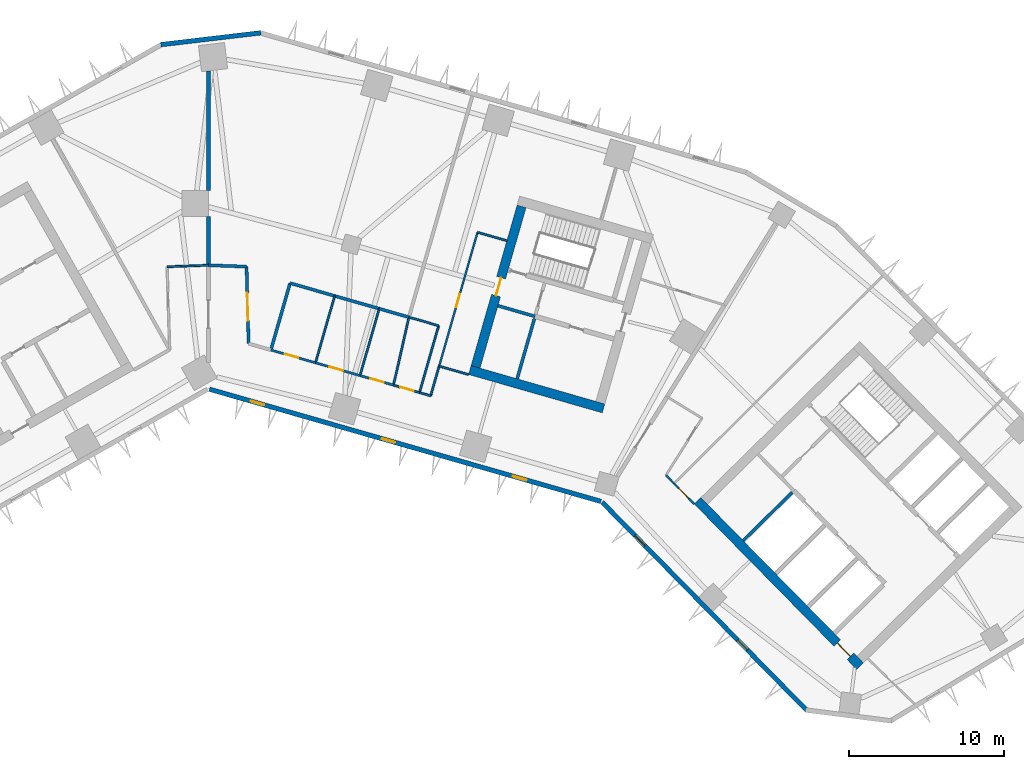
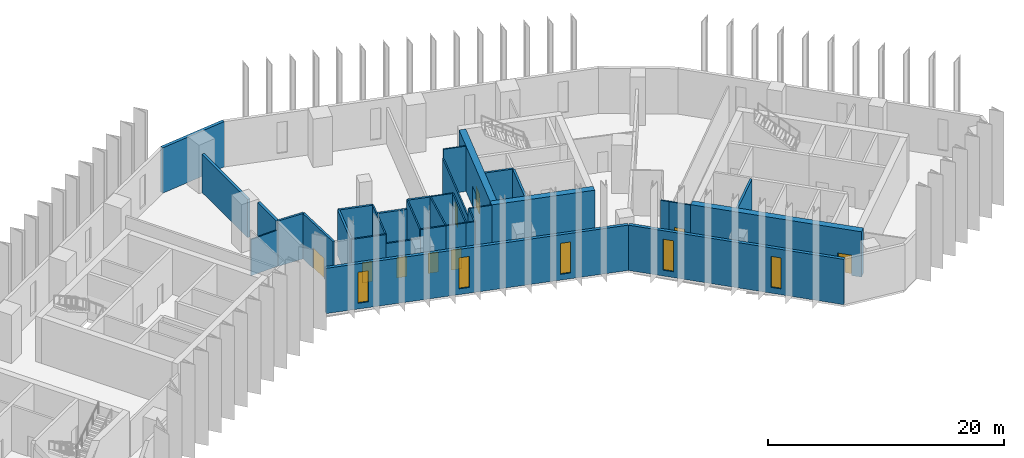
# One storey, part 5 of 11: 34 walls, 9 doors, 5 windows, 14 openings.
"""IFC4 building model written with IfcOpenShell, lengths in metres."""

from ifc_helpers import new_model, si_unit, direction, frame, frame_2d, origin, place, context, subcontext, project, spatial, rectangle, extrude, material, layer, layer_set, type_object, element, fill, save


model = new_model("IFC4")

# Units and contexts
model_context = context("Model", 3, precision=1e-05, world=origin(), true_north=direction((0.0, 1.0)))
body_context = subcontext(model_context, "Body", "Model", "MODEL_VIEW")
ifc_project = project(units=[si_unit("LENGTHUNIT", "METRE"), si_unit("AREAUNIT", "SQUARE_METRE"), si_unit("VOLUMEUNIT", "CUBIC_METRE"), si_unit("PLANEANGLEUNIT", "RADIAN"), si_unit("MASSUNIT", "GRAM", prefix="KILO")], contexts=[model_context])

# Site, building, storey
site_placement = place(None, origin())
site = spatial("IfcSite", under=ifc_project, at=site_placement, CompositionType="ELEMENT")
building_placement = place(site_placement, origin())
building = spatial("IfcBuilding", under=site, at=building_placement, Name="Binnacle Exchange Tower", CompositionType="ELEMENT")
storey_placement = place(building_placement, frame((0.0, 0.0, 56.5)))
storey = spatial("IfcBuildingStorey", under=building, at=storey_placement, Name="L11", CompositionType="ELEMENT", Elevation=56.5)

# Wall, opening, door
ifc_material_1 = material(Name="Concrete C70/85", Category="concrete")
ifc_layer_1 = layer(ifc_material_1, 0.60009765625)
ifc_layer_set_1 = layer_set([ifc_layer_1], Name="Core wall - outer 600")
wall_type_1 = type_object("IfcWallType", Name="Core wall - outer 600", PredefinedType="SOLIDWALL", material=ifc_layer_set_1)
wall_1_placement = place(storey_placement, frame((31.6455078125, 40.7626953125, 0.0), z_axis=(0.0, 0.0, 1.0), x_axis=(0.700911255944, -0.713248491965, 0.0)))
wall_1 = element("IfcWall", 1, at=wall_1_placement, inside=storey, type_object=wall_type_1, Name="Core wall CRWB1", PredefinedType="SOLIDWALL", context=body_context, shape_type="SweptSolid", body=[
    extrude(rectangle(XDim=15.0, YDim=0.60009765625, at=frame_2d((7.5, 0.0))), origin(), (0.0, 0.0, 1.0), 4.679931640625),
])
opening_1_placement = place(wall_1_placement, frame((12.89990234375, 0.0, 0.0)))
opening_1 = element("IfcOpeningElement", 2, at=opening_1_placement, cuts=wall_1, Name="Opening DB7", PredefinedType="OPENING", context=body_context, shape_type="SweptSolid", body=[
    extrude(rectangle(XDim=1.199951171875, YDim=2.10009765625, at=frame_2d((0.60009765625, 1.050048828125))), frame((0.0, 0.31005859375, 0.0), z_axis=(0.0, -1.0, 0.0), x_axis=(1.0, 0.0, 0.0)), (0.0, 0.0, 1.0), 0.6201171875),
])
ifc_material_2 = material(Name="Steel door leaf", Category="steel")
door_type_1 = type_object("IfcDoorType", Name="Fire door 1200", OperationType="NOTDEFINED", PredefinedType="DOOR", material=ifc_material_2)
door_1_placement = place(opening_1_placement, frame((1.199951171875, 0.0, 0.0), z_axis=(0.0, 0.0, 1.0), x_axis=(-1.0, 0.0, 0.0)))
door_1 = element("IfcDoor", 3, at=door_1_placement, inside=storey, type_object=door_type_1, Name="Lift lobby entrance door core B", OperationType="SINGLE_SWING_LEFT", OverallHeight=2.10009765625, OverallWidth=1.199951171875, PredefinedType="DOOR", context=body_context, shape_type="SweptSolid", body=[
    extrude(rectangle(XDim=1.199951171875, YDim=2.10009765625, at=frame_2d((0.60009765625, 1.050048828125))), frame((0.0, 0.02490234375, 0.0), z_axis=(0.0, -1.0, 0.0), x_axis=(1.0, 0.0, 0.0)), (0.0, 0.0, 1.0), 0.050048828125),
])
fill(opening_1, door_1)

# Wall
wall_2_placement = place(storey_placement, frame((16.91064453125, 49.22119140625, 0.0), z_axis=(0.0, 0.0, 1.0), x_axis=(0.96126248289, -0.275634611374, 0.0)))
element("IfcWall", 4, at=wall_2_placement, inside=storey, type_object=wall_type_1, Name="Core wall CRWD1", PredefinedType="SOLIDWALL", context=body_context, shape_type="SweptSolid", body=[
    extrude(rectangle(XDim=9.0, YDim=0.60009765625, at=frame_2d((4.5, 0.0))), origin(), (0.0, 0.0, 1.0), 4.679931640625),
])

# Wall, opening, door
wall_3_placement = place(storey_placement, frame((17.28173828125, 49.427001953125, 0.0), z_axis=(0.0, 0.0, 1.0), x_axis=(0.275631631629, 0.961263337304, 0.0)))
wall_3 = element("IfcWall", 5, at=wall_3_placement, inside=storey, type_object=wall_type_1, Name="Core wall CRWD7", PredefinedType="SOLIDWALL", context=body_context, shape_type="SweptSolid", body=[
    extrude(rectangle(XDim=10.800048828125, YDim=0.60009765625, at=frame_2d((5.39990234375, 0.0))), origin(), (0.0, 0.0, 1.0), 4.679931640625),
])
opening_2_placement = place(wall_3_placement, frame((4.800048828125, 0.0, 0.0)))
opening_2 = element("IfcOpeningElement", 6, at=opening_2_placement, cuts=wall_3, Name="Opening DD5", PredefinedType="OPENING", context=body_context, shape_type="SweptSolid", body=[
    extrude(rectangle(XDim=1.199951171875, YDim=2.10009765625, at=frame_2d((0.60009765625, 1.050048828125))), frame((0.0, 0.31005859375, 0.0), z_axis=(0.0, -1.0, 0.0), x_axis=(1.0, 0.0, 0.0)), (0.0, 0.0, 1.0), 0.6201171875),
])
door_2_placement = place(opening_2_placement, origin())
door_2 = element("IfcDoor", 7, at=door_2_placement, inside=storey, type_object=door_type_1, Name="Vestibule exit door VEST-W", OperationType="SINGLE_SWING_RIGHT", OverallHeight=2.10009765625, OverallWidth=1.199951171875, PredefinedType="DOOR", context=body_context, shape_type="SweptSolid", body=[
    extrude(rectangle(XDim=1.199951171875, YDim=2.10009765625, at=frame_2d((0.60009765625, 1.050048828125))), frame((0.0, 0.02490234375, 0.0), z_axis=(0.0, -1.0, 0.0), x_axis=(1.0, 0.0, 0.0)), (0.0, 0.0, 1.0), 0.050048828125),
])
fill(opening_2, door_2)

# Wall
ifc_material_3 = material(Name="Bronze aluminium cladding", Category="aluminium")
ifc_layer_2 = layer(ifc_material_3, 0.300048828125)
ifc_layer_set_2 = layer_set([ifc_layer_2], Name="External wall - spandrel 300")
wall_type_2 = type_object("IfcWallType", Name="External wall - spandrel 300", PredefinedType="STANDARD", material=ifc_layer_set_2)
wall_4_placement = place(storey_placement, frame((-3.076171875, 70.27294921875, 0.0), z_axis=(0.0, 0.0, 1.0), x_axis=(0.993067743007, 0.117543429416, 0.0)))
element("IfcWall", 8, at=wall_4_placement, inside=storey, type_object=wall_type_2, Name="External wall EW-F02 L11", PredefinedType="STANDARD", context=body_context, shape_type="SweptSolid", body=[
    extrude(rectangle(XDim=6.515625, YDim=0.300048828125, at=frame_2d((3.2578125, 0.0))), origin(), (0.0, 0.0, 1.0), 4.679931640625),
])

# Wall, openings, windows
wall_5_placement = place(storey_placement, frame((25.398193359375, 40.71728515625, 0.0), z_axis=(0.0, 0.0, 1.0), x_axis=(-0.961262423262, 0.275634819324, 0.0)))
wall_5 = element("IfcWall", 9, at=wall_5_placement, inside=storey, type_object=wall_type_2, Name="External wall EW-F08 L11", PredefinedType="STANDARD", context=body_context, shape_type="SweptSolid", body=[
    extrude(rectangle(XDim=26.358642578125, YDim=0.300048828125, at=frame_2d((13.17919921875, 0.0))), origin(), (0.0, 0.0, 1.0), 4.679931640625),
])
opening_3_placement = place(wall_5_placement, frame((22.6640625, 0.0, 0.60009765625)))
opening_3 = element("IfcOpeningElement", 10, at=opening_3_placement, cuts=wall_5, Name="Opening WS1", PredefinedType="OPENING", context=body_context, shape_type="SweptSolid", body=[
    extrude(rectangle(XDim=0.89990234375, YDim=3.199951171875, at=frame_2d((0.449951171875, 1.60009765625))), frame((0.0, 0.159912109375, 0.0), z_axis=(0.0, -1.0, 0.0), x_axis=(1.0, 0.0, 0.0)), (0.0, 0.0, 1.0), 0.320068359375),
])
opening_4_placement = place(wall_5_placement, frame((13.843505859375, 0.0, 0.60009765625)))
opening_4 = element("IfcOpeningElement", 11, at=opening_4_placement, cuts=wall_5, Name="Opening WS1", PredefinedType="OPENING", context=body_context, shape_type="SweptSolid", body=[
    extrude(rectangle(XDim=0.89990234375, YDim=3.199951171875, at=frame_2d((0.449951171875, 1.60009765625))), frame((0.0, 0.159912109375, 0.0), z_axis=(0.0, -1.0, 0.0), x_axis=(1.0, 0.0, 0.0)), (0.0, 0.0, 1.0), 0.320068359375),
])
opening_5_placement = place(wall_5_placement, frame((5.023193359375, 0.0, 0.60009765625)))
opening_5 = element("IfcOpeningElement", 12, at=opening_5_placement, cuts=wall_5, Name="Opening WS1", PredefinedType="OPENING", context=body_context, shape_type="SweptSolid", body=[
    extrude(rectangle(XDim=0.89990234375, YDim=3.199951171875, at=frame_2d((0.449951171875, 1.60009765625))), frame((0.0, 0.159912109375, 0.0), z_axis=(0.0, -1.0, 0.0), x_axis=(1.0, 0.0, 0.0)), (0.0, 0.0, 1.0), 0.320068359375),
])
ifc_material_4 = material(Name="Bronze anodised aluminium frame", Category="aluminium")
window_type = type_object("IfcWindowType", Name="WS1 WINDOW 900x3200", PartitioningType="SINGLE_PANEL", PredefinedType="WINDOW", material=ifc_material_4)
window_1_placement = place(opening_3_placement, origin())
window_1 = element("IfcWindow", 13, at=window_1_placement, inside=storey, type_object=window_type, Name="Window WS1 L11", OverallHeight=3.199951171875, OverallWidth=0.89990234375, PartitioningType="SINGLE_PANEL", PredefinedType="WINDOW", context=body_context, shape_type="SweptSolid", body=[
    extrude(rectangle(XDim=0.89990234375, YDim=3.199951171875, at=frame_2d((0.449951171875, 1.60009765625))), frame((0.0, 0.030029296875, 0.0), z_axis=(0.0, -1.0, 0.0), x_axis=(1.0, 0.0, 0.0)), (0.0, 0.0, 1.0), 0.06005859375),
])
fill(opening_3, window_1)
window_2_placement = place(opening_4_placement, origin())
window_2 = element("IfcWindow", 14, at=window_2_placement, inside=storey, type_object=window_type, Name="Window WS1 L11", OverallHeight=3.199951171875, OverallWidth=0.89990234375, PartitioningType="SINGLE_PANEL", PredefinedType="WINDOW", context=body_context, shape_type="SweptSolid", body=[
    extrude(rectangle(XDim=0.89990234375, YDim=3.199951171875, at=frame_2d((0.449951171875, 1.60009765625))), frame((0.0, 0.030029296875, 0.0), z_axis=(0.0, -1.0, 0.0), x_axis=(1.0, 0.0, 0.0)), (0.0, 0.0, 1.0), 0.06005859375),
])
fill(opening_4, window_2)
window_3_placement = place(opening_5_placement, origin())
window_3 = element("IfcWindow", 15, at=window_3_placement, inside=storey, type_object=window_type, Name="Window WS1 L11", OverallHeight=3.199951171875, OverallWidth=0.89990234375, PartitioningType="SINGLE_PANEL", PredefinedType="WINDOW", context=body_context, shape_type="SweptSolid", body=[
    extrude(rectangle(XDim=0.89990234375, YDim=3.199951171875, at=frame_2d((0.449951171875, 1.60009765625))), frame((0.0, 0.030029296875, 0.0), z_axis=(0.0, -1.0, 0.0), x_axis=(1.0, 0.0, 0.0)), (0.0, 0.0, 1.0), 0.06005859375),
])
fill(opening_5, window_3)

wall_6_placement = place(storey_placement, frame((38.727294921875, 27.18115234375, 0.0), z_axis=(0.0, 0.0, 1.0), x_axis=(-0.700906405975, 0.713253258011, 0.0)))
wall_6 = element("IfcWall", 16, at=wall_6_placement, inside=storey, type_object=wall_type_2, Name="External wall EW-F09 L11", PredefinedType="STANDARD", context=body_context, shape_type="SweptSolid", body=[
    extrude(rectangle(XDim=18.92333984375, YDim=0.300048828125, at=frame_2d((9.461669921875, 0.0))), origin(), (0.0, 0.0, 1.0), 4.679931640625),
])
opening_6_placement = place(wall_6_placement, frame((14.967041015625, 0.0, 0.60009765625)))
opening_6 = element("IfcOpeningElement", 17, at=opening_6_placement, cuts=wall_6, Name="Opening WS1", PredefinedType="OPENING", context=body_context, shape_type="SweptSolid", body=[
    extrude(rectangle(XDim=0.89990234375, YDim=3.199951171875, at=frame_2d((0.449951171875, 1.60009765625))), frame((0.0, 0.159912109375, 0.0), z_axis=(0.0, -1.0, 0.0), x_axis=(1.0, 0.0, 0.0)), (0.0, 0.0, 1.0), 0.320068359375),
])
opening_7_placement = place(wall_6_placement, frame((5.51171875, 0.0, 0.60009765625)))
opening_7 = element("IfcOpeningElement", 18, at=opening_7_placement, cuts=wall_6, Name="Opening WS1", PredefinedType="OPENING", context=body_context, shape_type="SweptSolid", body=[
    extrude(rectangle(XDim=0.89990234375, YDim=3.199951171875, at=frame_2d((0.449951171875, 1.60009765625))), frame((0.0, 0.159912109375, 0.0), z_axis=(0.0, -1.0, 0.0), x_axis=(1.0, 0.0, 0.0)), (0.0, 0.0, 1.0), 0.320068359375),
])
window_4_placement = place(opening_6_placement, origin())
window_4 = element("IfcWindow", 19, at=window_4_placement, inside=storey, type_object=window_type, Name="Window WS1 L11", OverallHeight=3.199951171875, OverallWidth=0.89990234375, PartitioningType="SINGLE_PANEL", PredefinedType="WINDOW", context=body_context, shape_type="SweptSolid", body=[
    extrude(rectangle(XDim=0.89990234375, YDim=3.199951171875, at=frame_2d((0.449951171875, 1.60009765625))), frame((0.0, 0.030029296875, 0.0), z_axis=(0.0, -1.0, 0.0), x_axis=(1.0, 0.0, 0.0)), (0.0, 0.0, 1.0), 0.06005859375),
])
fill(opening_6, window_4)
window_5_placement = place(opening_7_placement, origin())
window_5 = element("IfcWindow", 20, at=window_5_placement, inside=storey, type_object=window_type, Name="Window WS1 L11", OverallHeight=3.199951171875, OverallWidth=0.89990234375, PartitioningType="SINGLE_PANEL", PredefinedType="WINDOW", context=body_context, shape_type="SweptSolid", body=[
    extrude(rectangle(XDim=0.89990234375, YDim=3.199951171875, at=frame_2d((0.449951171875, 1.60009765625))), frame((0.0, 0.030029296875, 0.0), z_axis=(0.0, -1.0, 0.0), x_axis=(1.0, 0.0, 0.0)), (0.0, 0.0, 1.0), 0.06005859375),
])
fill(opening_7, window_5)

# Wall
ifc_material_5 = material(Name="Masonry block wall", Category="masonry")
ifc_layer_3 = layer(ifc_material_5, 0.199951171875)
ifc_layer_set_3 = layer_set([ifc_layer_3], Name="Fire wall - block 200")
wall_type_3 = type_object("IfcWallType", Name="Fire wall - block 200", PredefinedType="PARTITIONING", material=ifc_layer_set_3)
wall_7_placement = place(storey_placement, frame((0.0, 56.0, 0.0), z_axis=(0.0, 0.0, 1.0), x_axis=(0.999349313684, -0.036068673934, 0.0)))
element("IfcWall", 21, at=wall_7_placement, inside=storey, type_object=wall_type_3, Name="Partition W11", PredefinedType="PARTITIONING", context=body_context, shape_type="SweptSolid", body=[
    extrude(rectangle(XDim=2.470703125, YDim=0.199951171875, at=frame_2d((1.2353515625, 0.0))), origin(), (0.0, 0.0, 1.0), 4.679931640625),
])

# Wall, opening, door
wall_8_placement = place(storey_placement, frame((2.468994140625, 55.910888671875, 0.0), z_axis=(0.0, 0.0, 1.0), x_axis=(0.02651808123, -0.999648333849, 0.0)))
wall_8 = element("IfcWall", 22, at=wall_8_placement, inside=storey, type_object=wall_type_3, Name="Partition W13", PredefinedType="PARTITIONING", context=body_context, shape_type="SweptSolid", body=[
    extrude(rectangle(XDim=4.980712890625, YDim=0.199951171875, at=frame_2d((2.490234375, 0.0))), origin(), (0.0, 0.0, 1.0), 4.679931640625),
])
opening_8_placement = place(wall_8_placement, frame((1.699951171875, 0.0, 0.0)))
opening_8 = element("IfcOpeningElement", 23, at=opening_8_placement, cuts=wall_8, Name="Opening DL11-08", PredefinedType="OPENING", context=body_context, shape_type="SweptSolid", body=[
    extrude(rectangle(XDim=1.800048828125, YDim=2.10009765625, at=frame_2d((0.89990234375, 1.050048828125))), frame((0.0, 0.10986328125, 0.0), z_axis=(0.0, -1.0, 0.0), x_axis=(1.0, 0.0, 0.0)), (0.0, 0.0, 1.0), 0.219970703125),
])
door_type_2 = type_object("IfcDoorType", Name="Fire door 1800", OperationType="NOTDEFINED", PredefinedType="DOOR", material=ifc_material_2)
door_3_placement = place(opening_8_placement, origin())
door_3 = element("IfcDoor", 24, at=door_3_placement, inside=storey, type_object=door_type_2, Name="Door DL11-08", OperationType="DOUBLE_DOOR_SINGLE_SWING", OverallHeight=2.10009765625, OverallWidth=1.800048828125, PredefinedType="DOOR", context=body_context, shape_type="SweptSolid", body=[
    extrude(rectangle(XDim=1.800048828125, YDim=2.10009765625, at=frame_2d((0.89990234375, 1.050048828125))), frame((0.0, 0.02490234375, 0.0), z_axis=(0.0, -1.0, 0.0), x_axis=(1.0, 0.0, 0.0)), (0.0, 0.0, 1.0), 0.050048828125),
])
fill(opening_8, door_3)

# Walls
wall_9_placement = place(storey_placement, frame((4.04296875, 50.51806640625, 0.0), z_axis=(0.0, 0.0, 1.0), x_axis=(0.275745553681, 0.96123066411, 0.0)))
element("IfcWall", 25, at=wall_9_placement, inside=storey, type_object=wall_type_3, Name="Partition W15", PredefinedType="PARTITIONING", context=body_context, shape_type="SweptSolid", body=[
    extrude(rectangle(XDim=4.50048828125, YDim=0.199951171875, at=frame_2d((2.250244140625, 0.0))), origin(), (0.0, 0.0, 1.0), 4.679931640625),
])
wall_10_placement = place(storey_placement, frame((5.283935546875, 54.843994140625, 0.0), z_axis=(0.0, 0.0, 1.0), x_axis=(0.961243927922, -0.275699312717, 0.0)))
element("IfcWall", 26, at=wall_10_placement, inside=storey, type_object=wall_type_3, Name="Partition W17", PredefinedType="PARTITIONING", context=body_context, shape_type="SweptSolid", body=[
    extrude(rectangle(XDim=2.999267578125, YDim=0.199951171875, at=frame_2d((1.49951171875, 0.0))), origin(), (0.0, 0.0, 1.0), 4.679931640625),
])
wall_11_placement = place(storey_placement, frame((8.1669921875, 54.01708984375, 0.0), z_axis=(0.0, 0.0, 1.0), x_axis=(0.961247103494, -0.275688240636, 0.0)))
element("IfcWall", 27, at=wall_11_placement, inside=storey, type_object=wall_type_3, Name="Partition W20", PredefinedType="PARTITIONING", context=body_context, shape_type="SweptSolid", body=[
    extrude(rectangle(XDim=3.000244140625, YDim=0.199951171875, at=frame_2d((1.5, 0.0))), origin(), (0.0, 0.0, 1.0), 3.741943359375),
])
wall_12_placement = place(storey_placement, frame((11.051025390625, 53.18994140625, 0.0), z_axis=(0.0, 0.0, 1.0), x_axis=(0.961316434736, -0.275446387355, 0.0)))
element("IfcWall", 28, at=wall_12_placement, inside=storey, type_object=wall_type_3, Name="Partition W23", PredefinedType="PARTITIONING", context=body_context, shape_type="SweptSolid", body=[
    extrude(rectangle(XDim=2.00048828125, YDim=0.199951171875, at=frame_2d((1.000244140625, 0.0))), origin(), (0.0, 0.0, 1.0), 4.679931640625),
])
ifc_material_6 = material(Name="Concrete fire wall C30/37", Category="concrete")
ifc_layer_4 = layer(ifc_material_6, 0.25)
ifc_layer_set_4 = layer_set([ifc_layer_4], Name="Fire wall - compartment 250")
wall_type_4 = type_object("IfcWallType", Name="Fire wall - compartment 250", PredefinedType="PARTITIONING", material=ifc_layer_set_4)
wall_13_placement = place(storey_placement, frame((0.0, 56.0, 0.0), z_axis=(0.0, 0.0, 1.0), x_axis=(0.0, 1.0, 0.0)))
element("IfcWall", 29, at=wall_13_placement, inside=storey, type_object=wall_type_4, Name="Fire Wall W10", PredefinedType="PARTITIONING", context=body_context, shape_type="SweptSolid", body=[
    extrude(rectangle(XDim=3.14990234375, YDim=0.25, at=frame_2d((1.574951171875, 0.0))), origin(), (0.0, 0.0, 1.0), 4.679931640625),
])
wall_14_placement = place(storey_placement, frame((0.0, 60.85009765625, 0.0), z_axis=(0.0, 0.0, 1.0), x_axis=(0.0, 1.0, 0.0)))
element("IfcWall", 30, at=wall_14_placement, inside=storey, type_object=wall_type_4, Name="Fire Wall W12", PredefinedType="PARTITIONING", context=body_context, shape_type="SweptSolid", body=[
    extrude(rectangle(XDim=7.722900390625, YDim=0.25, at=frame_2d((3.861328125, 0.0))), origin(), (0.0, 0.0, 1.0), 3.951904296875),
])

# Wall, opening, door
ifc_material_7 = material(Name="Gypsum partition fire rated")
ifc_layer_5 = layer(ifc_material_7, 0.14990234375)
ifc_layer_set_5 = layer_set([ifc_layer_5], Name="Fire-rated partition 150")
wall_type_5 = type_object("IfcWallType", Name="Fire-rated partition 150", PredefinedType="PARTITIONING", material=ifc_layer_set_5)
wall_15_placement = place(storey_placement, frame((4.04296875, 50.51806640625, 0.0), z_axis=(0.0, 0.0, 1.0), x_axis=(0.961247103494, -0.275688240636, 0.0)))
wall_15 = element("IfcWall", 31, at=wall_15_placement, inside=storey, type_object=wall_type_5, Name="Partition W16", PredefinedType="PARTITIONING", context=body_context, shape_type="SweptSolid", body=[
    extrude(rectangle(XDim=3.000244140625, YDim=0.14990234375, at=frame_2d((1.5, 0.0))), origin(), (0.0, 0.0, 1.0), 4.679931640625),
])
opening_9_placement = place(wall_15_placement, frame((0.949951171875, 0.0, 0.0)))
opening_9 = element("IfcOpeningElement", 32, at=opening_9_placement, cuts=wall_15, Name="Opening DL11-04", PredefinedType="OPENING", context=body_context, shape_type="SweptSolid", body=[
    extrude(rectangle(XDim=0.89990234375, YDim=2.10009765625, at=frame_2d((0.449951171875, 1.050048828125))), frame((0.0, 0.0849609375, 0.0), z_axis=(0.0, -1.0, 0.0), x_axis=(1.0, 0.0, 0.0)), (0.0, 0.0, 1.0), 0.169921875),
])
door_type_3 = type_object("IfcDoorType", Name="Fire door 900", OperationType="NOTDEFINED", PredefinedType="DOOR", material=ifc_material_2)
door_4_placement = place(opening_9_placement, origin())
door_4 = element("IfcDoor", 33, at=door_4_placement, inside=storey, type_object=door_type_3, Name="Door DL11-04", OperationType="SINGLE_SWING_LEFT", OverallHeight=2.10009765625, OverallWidth=0.89990234375, PredefinedType="DOOR", context=body_context, shape_type="SweptSolid", body=[
    extrude(rectangle(XDim=0.89990234375, YDim=2.10009765625, at=frame_2d((0.449951171875, 1.050048828125))), frame((0.0, 0.02490234375, 0.0), z_axis=(0.0, -1.0, 0.0), x_axis=(1.0, 0.0, 0.0)), (0.0, 0.0, 1.0), 0.050048828125),
])
fill(opening_9, door_4)

wall_16_placement = place(storey_placement, frame((6.927001953125, 49.69091796875, 0.0), z_axis=(0.0, 0.0, 1.0), x_axis=(0.961268664977, -0.27561305073, 0.0)))
wall_16 = element("IfcWall", 34, at=wall_16_placement, inside=storey, type_object=wall_type_5, Name="Partition W19", PredefinedType="PARTITIONING", context=body_context, shape_type="SweptSolid", body=[
    extrude(rectangle(XDim=3.000244140625, YDim=0.14990234375, at=frame_2d((1.5, 0.0))), origin(), (0.0, 0.0, 1.0), 3.741943359375),
])
opening_10_placement = place(wall_16_placement, frame((0.949951171875, 0.0, 0.0)))
opening_10 = element("IfcOpeningElement", 35, at=opening_10_placement, cuts=wall_16, Name="Opening DL11-05", PredefinedType="OPENING", context=body_context, shape_type="SweptSolid", body=[
    extrude(rectangle(XDim=0.89990234375, YDim=2.10009765625, at=frame_2d((0.449951171875, 1.050048828125))), frame((0.0, 0.0849609375, 0.0), z_axis=(0.0, -1.0, 0.0), x_axis=(1.0, 0.0, 0.0)), (0.0, 0.0, 1.0), 0.169921875),
])
door_5_placement = place(opening_10_placement, origin())
door_5 = element("IfcDoor", 36, at=door_5_placement, inside=storey, type_object=door_type_3, Name="Door DL11-05", OperationType="SINGLE_SWING_LEFT", OverallHeight=2.10009765625, OverallWidth=0.89990234375, PredefinedType="DOOR", context=body_context, shape_type="SweptSolid", body=[
    extrude(rectangle(XDim=0.89990234375, YDim=2.10009765625, at=frame_2d((0.449951171875, 1.050048828125))), frame((0.0, 0.02490234375, 0.0), z_axis=(0.0, -1.0, 0.0), x_axis=(1.0, 0.0, 0.0)), (0.0, 0.0, 1.0), 0.050048828125),
])
fill(opening_10, door_5)

wall_17_placement = place(storey_placement, frame((9.81103515625, 48.864013671875, 0.0), z_axis=(0.0, 0.0, 1.0), x_axis=(0.961236680145, -0.275724581318, 0.0)))
wall_17 = element("IfcWall", 37, at=wall_17_placement, inside=storey, type_object=wall_type_5, Name="Partition W22", PredefinedType="PARTITIONING", context=body_context, shape_type="SweptSolid", body=[
    extrude(rectangle(XDim=2.2490234375, YDim=0.14990234375, at=frame_2d((1.12451171875, 0.0))), origin(), (0.0, 0.0, 1.0), 4.679931640625),
])
opening_11_placement = place(wall_17_placement, frame((0.699951171875, 0.0, 0.0)))
opening_11 = element("IfcOpeningElement", 38, at=opening_11_placement, cuts=wall_17, Name="Opening DL11-06", PredefinedType="OPENING", context=body_context, shape_type="SweptSolid", body=[
    extrude(rectangle(XDim=0.89990234375, YDim=2.10009765625, at=frame_2d((0.449951171875, 1.050048828125))), frame((0.0, 0.0849609375, 0.0), z_axis=(0.0, -1.0, 0.0), x_axis=(1.0, 0.0, 0.0)), (0.0, 0.0, 1.0), 0.169921875),
])
door_6_placement = place(opening_11_placement, origin())
door_6 = element("IfcDoor", 39, at=door_6_placement, inside=storey, type_object=door_type_3, Name="Door DL11-06", OperationType="SINGLE_SWING_RIGHT", OverallHeight=2.10009765625, OverallWidth=0.89990234375, PredefinedType="DOOR", context=body_context, shape_type="SweptSolid", body=[
    extrude(rectangle(XDim=0.89990234375, YDim=2.10009765625, at=frame_2d((0.449951171875, 1.050048828125))), frame((0.0, 0.02490234375, 0.0), z_axis=(0.0, -1.0, 0.0), x_axis=(1.0, 0.0, 0.0)), (0.0, 0.0, 1.0), 0.050048828125),
])
fill(opening_11, door_6)

# Walls
ifc_material_8 = material(Name="Gypsum partition")
ifc_layer_6 = layer(ifc_material_8, 0.125)
ifc_layer_set_6 = layer_set([ifc_layer_6], Name="Partition 125")
wall_type_6 = type_object("IfcWallType", Name="Partition 125", PredefinedType="PARTITIONING", material=ifc_layer_set_6)
wall_18_placement = place(storey_placement, frame((-2.669921875, 55.904052734375, 0.0), z_axis=(0.0, 0.0, 1.0), x_axis=(0.999354913865, 0.03591317494, 0.0)))
element("IfcWall", 40, at=wall_18_placement, inside=storey, type_object=wall_type_6, Name="Partition W08", PredefinedType="PARTITIONING", context=body_context, shape_type="SweptSolid", body=[
    extrude(rectangle(XDim=2.671630859375, YDim=0.125, at=frame_2d((1.3359375, 0.0))), origin(), (0.0, 0.0, 1.0), 3.741943359375),
])
wall_19_placement = place(storey_placement, frame((6.927001953125, 49.69091796875, 0.0), z_axis=(0.0, 0.0, 1.0), x_axis=(0.275530671241, 0.961292280841, 0.0)))
element("IfcWall", 41, at=wall_19_placement, inside=storey, type_object=wall_type_6, Name="Partition W18", PredefinedType="PARTITIONING", context=body_context, shape_type="SweptSolid", body=[
    extrude(rectangle(XDim=4.50048828125, YDim=0.125, at=frame_2d((2.250244140625, 0.0))), origin(), (0.0, 0.0, 1.0), 4.679931640625),
])
wall_20_placement = place(storey_placement, frame((9.81103515625, 48.864013671875, 0.0), z_axis=(0.0, 0.0, 1.0), x_axis=(0.275545040649, 0.96128816209, 0.0)))
element("IfcWall", 42, at=wall_20_placement, inside=storey, type_object=wall_type_6, Name="Partition W21", PredefinedType="PARTITIONING", context=body_context, shape_type="SweptSolid", body=[
    extrude(rectangle(XDim=4.500244140625, YDim=0.125, at=frame_2d((2.25, 0.0))), origin(), (0.0, 0.0, 1.0), 4.679931640625),
])
wall_21_placement = place(storey_placement, frame((11.972900390625, 48.243896484375, 0.0), z_axis=(0.0, 0.0, 1.0), x_axis=(0.222117362571, 0.975019936845, 0.0)))
element("IfcWall", 43, at=wall_21_placement, inside=storey, type_object=wall_type_6, Name="Partition W24", PredefinedType="PARTITIONING", context=body_context, shape_type="SweptSolid", body=[
    extrude(rectangle(XDim=4.507568359375, YDim=0.125, at=frame_2d((2.25390625, 0.0))), origin(), (0.0, 0.0, 1.0), 4.679931640625),
])

# Wall, opening, door
wall_22_placement = place(storey_placement, frame((11.972900390625, 48.243896484375, 0.0), z_axis=(0.0, 0.0, 1.0), x_axis=(0.96136592135, -0.275273618907, 0.0)))
wall_22 = element("IfcWall", 44, at=wall_22_placement, inside=storey, type_object=wall_type_6, Name="Partition W25", PredefinedType="PARTITIONING", context=body_context, shape_type="SweptSolid", body=[
    extrude(rectangle(XDim=1.750732421875, YDim=0.125, at=frame_2d((0.87548828125, 0.0))), origin(), (0.0, 0.0, 1.0), 4.679931640625),
])
opening_12_placement = place(wall_22_placement, frame((0.449951171875, 0.0, 0.0)))
opening_12 = element("IfcOpeningElement", 45, at=opening_12_placement, cuts=wall_22, Name="Opening DL11-07", PredefinedType="OPENING", context=body_context, shape_type="SweptSolid", body=[
    extrude(rectangle(XDim=0.89990234375, YDim=2.10009765625, at=frame_2d((0.449951171875, 1.050048828125))), frame((0.0, 0.072509765625, 0.0), z_axis=(0.0, -1.0, 0.0), x_axis=(1.0, 0.0, 0.0)), (0.0, 0.0, 1.0), 0.14501953125),
])
ifc_material_9 = material(Name="Timber door leaf", Category="wood")
door_type_4 = type_object("IfcDoorType", Name="Door 900", OperationType="NOTDEFINED", PredefinedType="DOOR", material=ifc_material_9)
door_7_placement = place(opening_12_placement, origin())
door_7 = element("IfcDoor", 46, at=door_7_placement, inside=storey, type_object=door_type_4, Name="Door DL11-07", OperationType="SINGLE_SWING_RIGHT", OverallHeight=2.10009765625, OverallWidth=0.89990234375, PredefinedType="DOOR", context=body_context, shape_type="SweptSolid", body=[
    extrude(rectangle(XDim=0.89990234375, YDim=2.10009765625, at=frame_2d((0.449951171875, 1.050048828125))), frame((0.0, 0.02490234375, 0.0), z_axis=(0.0, -1.0, 0.0), x_axis=(1.0, 0.0, 0.0)), (0.0, 0.0, 1.0), 0.050048828125),
])
fill(opening_12, door_7)

# Walls
wall_23_placement = place(storey_placement, frame((12.97412109375, 52.638916015625, 0.0), z_axis=(0.0, 0.0, 1.0), x_axis=(0.961270097305, -0.275608055084, 0.0)))
element("IfcWall", 47, at=wall_23_placement, inside=storey, type_object=wall_type_6, Name="Partition W26", PredefinedType="PARTITIONING", context=body_context, shape_type="SweptSolid", body=[
    extrude(rectangle(XDim=1.999267578125, YDim=0.125, at=frame_2d((0.99951171875, 0.0))), origin(), (0.0, 0.0, 1.0), 4.679931640625),
])
wall_24_placement = place(storey_placement, frame((13.656005859375, 47.761962890625, 0.0), z_axis=(0.0, 0.0, 1.0), x_axis=(0.961154610169, -0.276010534854, 0.0)))
element("IfcWall", 48, at=wall_24_placement, inside=storey, type_object=wall_type_6, Name="Partition W28", PredefinedType="PARTITIONING", context=body_context, shape_type="SweptSolid", body=[
    extrude(rectangle(XDim=0.75, YDim=0.125, at=frame_2d((0.375, 0.0))), origin(), (0.0, 0.0, 1.0), 4.679931640625),
])
wall_25_placement = place(storey_placement, frame((13.656005859375, 47.761962890625, 0.0), z_axis=(0.0, 0.0, 1.0), x_axis=(0.275545040649, 0.96128816209, 0.0)))
element("IfcWall", 49, at=wall_25_placement, inside=storey, type_object=wall_type_6, Name="Partition W29", PredefinedType="PARTITIONING", context=body_context, shape_type="SweptSolid", body=[
    extrude(rectangle(XDim=4.500244140625, YDim=0.125, at=frame_2d((2.25, 0.0))), origin(), (0.0, 0.0, 1.0), 4.679931640625),
])
wall_26_placement = place(storey_placement, frame((14.376953125, 47.554931640625, 0.0), z_axis=(0.0, 0.0, 1.0), x_axis=(0.275446387355, 0.961316434736, 0.0)))
element("IfcWall", 50, at=wall_26_placement, inside=storey, type_object=wall_type_6, Name="Partition W30", PredefinedType="PARTITIONING", context=body_context, shape_type="SweptSolid", body=[
    extrude(rectangle(XDim=2.00048828125, YDim=0.125, at=frame_2d((1.000244140625, 0.0))), origin(), (0.0, 0.0, 1.0), 4.679931640625),
])
wall_27_placement = place(storey_placement, frame((14.927978515625, 49.47802734375, 0.0), z_axis=(0.0, 0.0, 1.0), x_axis=(0.961243778232, -0.27569983462, 0.0)))
element("IfcWall", 51, at=wall_27_placement, inside=storey, type_object=wall_type_6, Name="Partition W31", PredefinedType="PARTITIONING", context=body_context, shape_type="SweptSolid", body=[
    extrude(rectangle(XDim=1.9765625, YDim=0.125, at=frame_2d((0.98828125, 0.0))), origin(), (0.0, 0.0, 1.0), 4.679931640625),
])

# Wall, opening, door
wall_28_placement = place(storey_placement, frame((14.927978515625, 49.47802734375, 0.0), z_axis=(0.0, 0.0, 1.0), x_axis=(0.275674053528, 0.961251172281, 0.0)))
wall_28 = element("IfcWall", 52, at=wall_28_placement, inside=storey, type_object=wall_type_6, Name="Partition W32", PredefinedType="PARTITIONING", context=body_context, shape_type="SweptSolid", body=[
    extrude(rectangle(XDim=8.99951171875, YDim=0.125, at=frame_2d((4.499755859375, 0.0))), origin(), (0.0, 0.0, 1.0), 3.741943359375),
])
opening_13_placement = place(wall_28_placement, frame((3.949951171875, 0.0, 0.0)))
opening_13 = element("IfcOpeningElement", 53, at=opening_13_placement, cuts=wall_28, Name="Opening DL11-09", PredefinedType="OPENING", context=body_context, shape_type="SweptSolid", body=[
    extrude(rectangle(XDim=0.89990234375, YDim=2.10009765625, at=frame_2d((0.449951171875, 1.050048828125))), frame((0.0, 0.072509765625, 0.0), z_axis=(0.0, -1.0, 0.0), x_axis=(1.0, 0.0, 0.0)), (0.0, 0.0, 1.0), 0.14501953125),
])
door_8_placement = place(opening_13_placement, origin())
door_8 = element("IfcDoor", 54, at=door_8_placement, inside=storey, type_object=door_type_4, Name="Door DL11-09", OperationType="SINGLE_SWING_LEFT", OverallHeight=2.10009765625, OverallWidth=0.89990234375, PredefinedType="DOOR", context=body_context, shape_type="SweptSolid", body=[
    extrude(rectangle(XDim=0.89990234375, YDim=2.10009765625, at=frame_2d((0.449951171875, 1.050048828125))), frame((0.0, 0.02490234375, 0.0), z_axis=(0.0, -1.0, 0.0), x_axis=(1.0, 0.0, 0.0)), (0.0, 0.0, 1.0), 0.050048828125),
])
fill(opening_13, door_8)

# Walls
wall_29_placement = place(storey_placement, frame((17.408935546875, 58.12890625, 0.0), z_axis=(0.0, 0.0, 1.0), x_axis=(0.961253165474, -0.275667103345, 0.0)))
element("IfcWall", 55, at=wall_29_placement, inside=storey, type_object=wall_type_6, Name="Partition W33", PredefinedType="PARTITIONING", context=body_context, shape_type="SweptSolid", body=[
    extrude(rectangle(XDim=1.976806640625, YDim=0.125, at=frame_2d((0.98828125, 0.0))), origin(), (0.0, 0.0, 1.0), 4.679931640625),
])
wall_30_placement = place(storey_placement, frame((29.60009765625, 42.416015625, 0.0), z_axis=(0.0, 0.0, 1.0), x_axis=(0.701711125926, -0.71246157493, 0.0)))
element("IfcWall", 56, at=wall_30_placement, inside=storey, type_object=wall_type_6, Name="Partition W37", PredefinedType="PARTITIONING", context=body_context, shape_type="SweptSolid", body=[
    extrude(rectangle(XDim=0.74951171875, YDim=0.125, at=frame_2d((0.374755859375, 0.0))), origin(), (0.0, 0.0, 1.0), 4.679931640625),
])

# Wall, opening, door
wall_31_placement = place(storey_placement, frame((30.1259765625, 41.882080078125, 0.0), z_axis=(0.0, 0.0, 1.0), x_axis=(0.700593717615, -0.713560398872, 0.0)))
wall_31 = element("IfcWall", 57, at=wall_31_placement, inside=storey, type_object=wall_type_6, Name="Partition W41", PredefinedType="PARTITIONING", context=body_context, shape_type="SweptSolid", body=[
    extrude(rectangle(XDim=1.864013671875, YDim=0.125, at=frame_2d((0.93212890625, 0.0))), origin(), (0.0, 0.0, 1.0), 4.679931640625),
])
opening_14_placement = place(wall_31_placement, frame((0.449951171875, 0.0, 0.0)))
opening_14 = element("IfcOpeningElement", 58, at=opening_14_placement, cuts=wall_31, Name="Opening DL11-12", PredefinedType="OPENING", context=body_context, shape_type="SweptSolid", body=[
    extrude(rectangle(XDim=0.89990234375, YDim=2.10009765625, at=frame_2d((0.449951171875, 1.050048828125))), frame((0.0, 0.072509765625, 0.0), z_axis=(0.0, -1.0, 0.0), x_axis=(1.0, 0.0, 0.0)), (0.0, 0.0, 1.0), 0.14501953125),
])
door_9_placement = place(opening_14_placement, origin())
door_9 = element("IfcDoor", 59, at=door_9_placement, inside=storey, type_object=door_type_4, Name="Door DL11-12", OperationType="SINGLE_SWING_LEFT", OverallHeight=2.10009765625, OverallWidth=0.89990234375, PredefinedType="DOOR", context=body_context, shape_type="SweptSolid", body=[
    extrude(rectangle(XDim=0.89990234375, YDim=2.10009765625, at=frame_2d((0.449951171875, 1.050048828125))), frame((0.0, 0.02490234375, 0.0), z_axis=(0.0, -1.0, 0.0), x_axis=(1.0, 0.0, 0.0)), (0.0, 0.0, 1.0), 0.050048828125),
])
fill(opening_14, door_9)

# Walls
ifc_layer_7 = layer(ifc_material_5, 0.199951171875)
ifc_layer_set_7 = layer_set([ifc_layer_7], Name="Riser wall 200")
wall_type_7 = type_object("IfcWallType", Name="Riser wall 200", PredefinedType="SOLIDWALL", material=ifc_layer_set_7)
wall_32_placement = place(storey_placement, frame((34.59326171875, 38.19140625, 0.0), z_axis=(0.0, 0.0, 1.0), x_axis=(0.713252216116, 0.700907466222, 0.0)))
element("IfcWall", 60, at=wall_32_placement, inside=storey, type_object=wall_type_7, Name="Core wall CRWB9", PredefinedType="SOLIDWALL", context=body_context, shape_type="SweptSolid", body=[
    extrude(rectangle(XDim=4.44970703125, YDim=0.199951171875, at=frame_2d((2.224853515625, 0.0))), origin(), (0.0, 0.0, 1.0), 4.679931640625),
])
wall_33_placement = place(storey_placement, frame((18.727783203125, 53.381591796875, 0.0), z_axis=(0.0, 0.0, 1.0), x_axis=(0.961247070632, -0.275688355216, 0.0)))
element("IfcWall", 61, at=wall_33_placement, inside=storey, type_object=wall_type_7, Name="Core wall CRWD2", PredefinedType="SOLIDWALL", context=body_context, shape_type="SweptSolid", body=[
    extrude(rectangle(XDim=2.5, YDim=0.199951171875, at=frame_2d((1.25, 0.0))), origin(), (0.0, 0.0, 1.0), 4.679931640625),
])
wall_34_placement = place(storey_placement, frame((19.97314453125, 48.6552734375, 0.0), z_axis=(0.0, 0.0, 1.0), x_axis=(0.275668441653, 0.961252781674, 0.0)))
element("IfcWall", 62, at=wall_34_placement, inside=storey, type_object=wall_type_7, Name="Core wall CRWD8", PredefinedType="SOLIDWALL", context=body_context, shape_type="SweptSolid", body=[
    extrude(rectangle(XDim=4.050048828125, YDim=0.199951171875, at=frame_2d((2.02490234375, 0.0))), origin(), (0.0, 0.0, 1.0), 4.679931640625),
])

save(model, "model.ifc")
